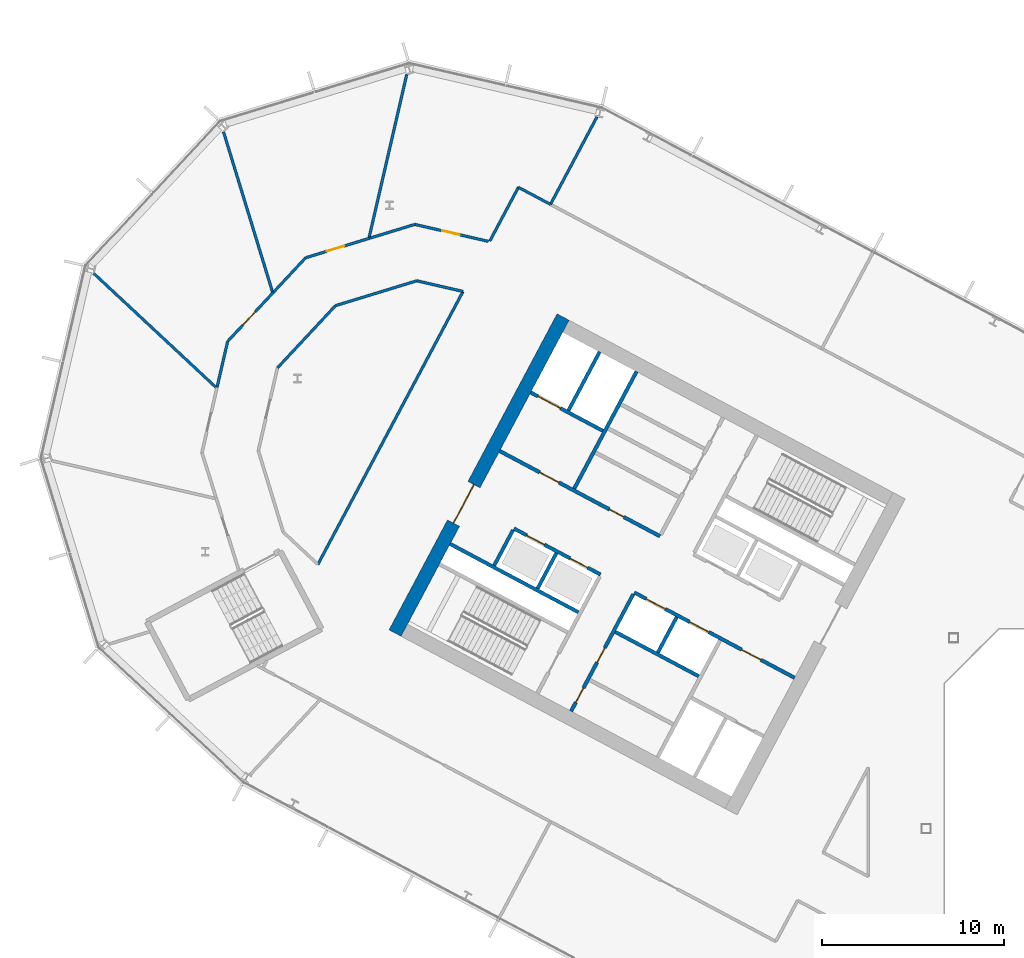
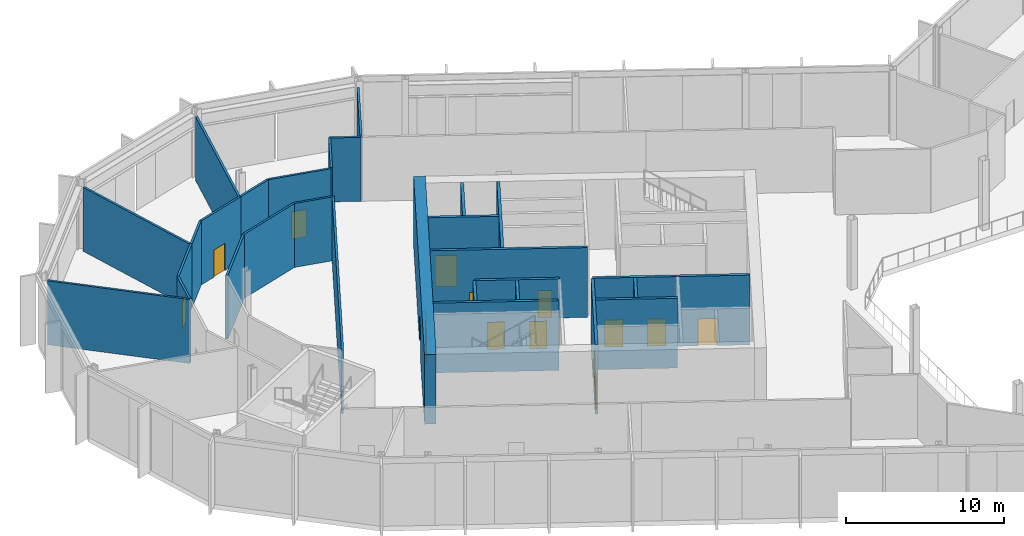
# One storey, part 14 of 31: 29 walls, 14 doors, 14 openings.
"""IFC4 building model written with IfcOpenShell, lengths in metres."""

from ifc_helpers import new_model, si_unit, direction, frame, frame_2d, origin, place, context, subcontext, project, spatial, rectangle, extrude, material, layer, layer_set, type_object, element, fill, save


model = new_model("IFC4")

# Units and contexts
model_context = context("Model", 3, precision=1e-05, world=origin(), true_north=direction((0.0, 1.0)))
body_context = subcontext(model_context, "Body", "Model", "MODEL_VIEW")
ifc_project = project(units=[si_unit("LENGTHUNIT", "METRE"), si_unit("AREAUNIT", "SQUARE_METRE"), si_unit("VOLUMEUNIT", "CUBIC_METRE"), si_unit("PLANEANGLEUNIT", "RADIAN"), si_unit("MASSUNIT", "GRAM", prefix="KILO")], contexts=[model_context])

# Site, building, storey
site_placement = place(None, origin())
site = spatial("IfcSite", under=ifc_project, at=site_placement, CompositionType="ELEMENT")
building_placement = place(site_placement, origin())
building = spatial("IfcBuilding", under=site, at=building_placement, Name="Cormorant Relay Tower", CompositionType="ELEMENT")
storey_placement = place(building_placement, frame((0.0, 0.0, 178.199951171875)))
storey = spatial("IfcBuildingStorey", under=building, at=storey_placement, Name="L38", CompositionType="ELEMENT", Elevation=178.199951171875)

# Walls
ifc_material_1 = material(Name="Concrete 40 MPa", Category="concrete")
ifc_layer_1 = layer(ifc_material_1, 0.199951171875)
ifc_layer_set_1 = layer_set([ifc_layer_1], Name="Core internal wall 200")
wall_type_1 = type_object("IfcWallType", Name="Core internal wall 200", PredefinedType="SOLIDWALL", material=ifc_layer_set_1)
for number, where, z_axis, x_axis, name in (
    (1, (-25.744140625, 11.64990234375, 0.0), (0.0, 0.0, 1.0), (-0.469487830541, -0.882938942948, 0.0), "L38 core A shaft and room wall"),
    (2, (-32.3662109375, 15.1708984375, 0.0), (0.0, 0.0, 1.0), (-0.469487830541, -0.882938942948, 0.0), "L38 core A shaft and room wall"),
):
    element("IfcWall", number, at=place(storey_placement, frame(where, z_axis=z_axis, x_axis=x_axis)), inside=storey, type_object=wall_type_1, Name=name, PredefinedType="SOLIDWALL", context=body_context, shape_type="SweptSolid", body=[
        extrude(rectangle(XDim=2.2001953125, YDim=0.199951171875, at=frame_2d((1.10009765625, 0.0))), origin(), (0.0, 0.0, 1.0), 5.400146484375),
    ])

# Wall, openings, doors
ifc_material_2 = material(Name="Concrete 50 MPa", Category="concrete")
ifc_layer_2 = layer(ifc_material_2, 0.199951171875)
ifc_layer_set_2 = layer_set([ifc_layer_2], Name="Core shaft wall 200")
wall_type_2 = type_object("IfcWallType", Name="Core shaft wall 200", PredefinedType="SHEAR", material=ifc_layer_set_2)
wall_1_placement = place(storey_placement, frame((-28.128173828125, 12.91748046875, 0.0), z_axis=(0.0, 0.0, 1.0), x_axis=(-0.469454336211, -0.882956752176, 0.0)))
wall_1 = element("IfcWall", 3, at=wall_1_placement, inside=storey, type_object=wall_type_2, Name="L38 core A shaft wall", PredefinedType="SHEAR", context=body_context, shape_type="SweptSolid", body=[
    extrude(rectangle(XDim=7.300048828125, YDim=0.199951171875, at=frame_2d((3.64990234375, 0.0))), origin(), (0.0, 0.0, 1.0), 5.400146484375),
])
opening_1_placement = place(wall_1_placement, frame((3.35009765625, 0.0, 0.0)))
opening_1 = element("IfcOpeningElement", 4, at=opening_1_placement, cuts=wall_1, Name="Opening CDD-069", PredefinedType="OPENING", context=body_context, shape_type="SweptSolid", body=[
    extrude(rectangle(XDim=0.89990234375, YDim=2.10009765625, at=frame_2d((0.449951171875, 1.050048828125))), frame((0.0, 0.10986328125, 0.0), z_axis=(0.0, -1.0, 0.0), x_axis=(1.0, 0.0, 0.0)), (0.0, 0.0, 1.0), 0.219970703125),
])
opening_2_placement = place(wall_1_placement, frame((5.85009765625, 0.0, 0.0)))
opening_2 = element("IfcOpeningElement", 5, at=opening_2_placement, cuts=wall_1, Name="Opening CDD-070", PredefinedType="OPENING", context=body_context, shape_type="SweptSolid", body=[
    extrude(rectangle(XDim=0.89990234375, YDim=2.10009765625, at=frame_2d((0.449951171875, 1.050048828125))), frame((0.0, 0.10986328125, 0.0), z_axis=(0.0, -1.0, 0.0), x_axis=(1.0, 0.0, 0.0)), (0.0, 0.0, 1.0), 0.219970703125),
])
ifc_material_3 = material(Name="Steel fire door", Category="steel")
door_type_1 = type_object("IfcDoorType", Name="Core room door 900x2100", OperationType="SINGLE_SWING_LEFT", PredefinedType="DOOR", material=ifc_material_3)
door_1_placement = place(opening_1_placement, origin())
door_1 = element("IfcDoor", 6, at=door_1_placement, inside=storey, type_object=door_type_1, Name="Core room door 900x2100", OperationType="SINGLE_SWING_LEFT", OverallHeight=2.10009765625, OverallWidth=0.89990234375, PredefinedType="DOOR", context=body_context, shape_type="SweptSolid", body=[
    extrude(rectangle(XDim=0.89990234375, YDim=2.10009765625, at=frame_2d((0.449951171875, 1.050048828125))), frame((0.0, 0.02490234375, 0.0), z_axis=(0.0, -1.0, 0.0), x_axis=(1.0, 0.0, 0.0)), (0.0, 0.0, 1.0), 0.050048828125),
])
fill(opening_1, door_1)
door_2_placement = place(opening_2_placement, origin())
door_2 = element("IfcDoor", 7, at=door_2_placement, inside=storey, type_object=door_type_1, Name="Core room door 900x2100", OperationType="SINGLE_SWING_LEFT", OverallHeight=2.10009765625, OverallWidth=0.89990234375, PredefinedType="DOOR", context=body_context, shape_type="SweptSolid", body=[
    extrude(rectangle(XDim=0.89990234375, YDim=2.10009765625, at=frame_2d((0.449951171875, 1.050048828125))), frame((0.0, 0.02490234375, 0.0), z_axis=(0.0, -1.0, 0.0), x_axis=(1.0, 0.0, 0.0)), (0.0, 0.0, 1.0), 0.050048828125),
])
fill(opening_2, door_2)

# Walls
wall_2_placement = place(storey_placement, frame((-27.955322265625, 25.170654296875, 0.0), z_axis=(0.0, 0.0, 1.0), x_axis=(-0.469480409012, -0.88294288918, 0.0)))
element("IfcWall", 8, at=wall_2_placement, inside=storey, type_object=wall_type_2, Name="L38 core A shaft wall", PredefinedType="SHEAR", context=body_context, shape_type="SweptSolid", body=[
    extrude(rectangle(XDim=7.300048828125, YDim=0.199951171875, at=frame_2d((3.64990234375, 0.0))), origin(), (0.0, 0.0, 1.0), 5.400146484375),
])
wall_3_placement = place(storey_placement, frame((-34.750244140625, 16.4384765625, 0.0), z_axis=(0.0, 0.0, 1.0), x_axis=(-0.469401318492, -0.882984938828, 0.0)))
element("IfcWall", 9, at=wall_3_placement, inside=storey, type_object=wall_type_2, Name="L38 core A shaft wall", PredefinedType="SHEAR", context=body_context, shape_type="SweptSolid", body=[
    extrude(rectangle(XDim=2.199951171875, YDim=0.199951171875, at=frame_2d((1.10009765625, 0.0))), origin(), (0.0, 0.0, 1.0), 5.400146484375),
])
wall_4_placement = place(storey_placement, frame((-29.986083984375, 26.250244140625, 0.0), z_axis=(0.0, 0.0, 1.0), x_axis=(-0.469494272526, -0.882935517501, 0.0)))
element("IfcWall", 10, at=wall_4_placement, inside=storey, type_object=wall_type_2, Name="L38 core A shaft wall", PredefinedType="SHEAR", context=body_context, shape_type="SweptSolid", body=[
    extrude(rectangle(XDim=3.64990234375, YDim=0.199951171875, at=frame_2d((1.824951171875, 0.0))), origin(), (0.0, 0.0, 1.0), 5.400146484375),
])

# Wall, opening, door
wall_5_placement = place(storey_placement, frame((-29.80419921875, 21.906494140625, 0.0), z_axis=(0.0, 0.0, 1.0), x_axis=(-0.882960433586, 0.469447412093, 0.0)))
wall_5 = element("IfcWall", 11, at=wall_5_placement, inside=storey, type_object=wall_type_2, Name="L38 core A shaft wall", PredefinedType="SHEAR", context=body_context, shape_type="SweptSolid", body=[
    extrude(rectangle(XDim=4.5, YDim=0.199951171875, at=frame_2d((2.25, 0.0))), origin(), (0.0, 0.0, 1.0), 5.400146484375),
])
opening_3_placement = place(wall_5_placement, frame((2.64990234375, 0.0, 0.0)))
opening_3 = element("IfcOpeningElement", 12, at=opening_3_placement, cuts=wall_5, Name="Opening LD3-007", PredefinedType="OPENING", context=body_context, shape_type="SweptSolid", body=[
    extrude(rectangle(XDim=1.39990234375, YDim=2.39990234375, at=frame_2d((0.699951171875, 1.199951171875))), frame((0.0, 0.10986328125, 0.0), z_axis=(0.0, -1.0, 0.0), x_axis=(1.0, 0.0, 0.0)), (0.0, 0.0, 1.0), 0.219970703125),
])
ifc_material_4 = material(Name="Stainless steel 316", Category="steel")
door_type_2 = type_object("IfcDoorType", Name="Lift landing door 1400x2400", OperationType="DOUBLE_DOOR_SLIDING", PredefinedType="DOOR", material=ifc_material_4)
door_3_placement = place(opening_3_placement, origin())
door_3 = element("IfcDoor", 13, at=door_3_placement, inside=storey, type_object=door_type_2, Name="SV1 landing door", OperationType="DOUBLE_DOOR_SLIDING", OverallHeight=2.39990234375, OverallWidth=1.39990234375, PredefinedType="DOOR", context=body_context, shape_type="SweptSolid", body=[
    extrude(rectangle(XDim=1.39990234375, YDim=2.39990234375, at=frame_2d((0.699951171875, 1.199951171875))), frame((0.0, 0.02490234375, 0.0), z_axis=(0.0, -1.0, 0.0), x_axis=(1.0, 0.0, 0.0)), (0.0, 0.0, 1.0), 0.050048828125),
])
fill(opening_3, door_3)

# Wall, openings, doors
wall_6_placement = place(storey_placement, frame((-26.66162109375, 16.1015625, 0.0), z_axis=(0.0, 0.0, 1.0), x_axis=(-0.882940221191, 0.469485426614, 0.0)))
wall_6 = element("IfcWall", 14, at=wall_6_placement, inside=storey, type_object=wall_type_2, Name="L38 core A shaft wall", PredefinedType="SHEAR", context=body_context, shape_type="SweptSolid", body=[
    extrude(rectangle(XDim=10.0, YDim=0.199951171875, at=frame_2d((5.0, 0.0))), origin(), (0.0, 0.0, 1.0), 5.400146484375),
])
opening_4_placement = place(wall_6_placement, frame((6.300048828125, 0.0, 0.0)))
opening_4 = element("IfcOpeningElement", 15, at=opening_4_placement, cuts=wall_6, Name="Opening CDC-014", PredefinedType="OPENING", context=body_context, shape_type="SweptSolid", body=[
    extrude(rectangle(XDim=1.199951171875, YDim=2.10009765625, at=frame_2d((0.60009765625, 1.050048828125))), frame((0.0, 0.10986328125, 0.0), z_axis=(0.0, -1.0, 0.0), x_axis=(1.0, 0.0, 0.0)), (0.0, 0.0, 1.0), 0.219970703125),
])
opening_5_placement = place(wall_6_placement, frame((2.25, 0.0, 0.0)))
opening_5 = element("IfcOpeningElement", 16, at=opening_5_placement, cuts=wall_6, Name="Opening CDD-098", PredefinedType="OPENING", context=body_context, shape_type="SweptSolid", body=[
    extrude(rectangle(XDim=0.89990234375, YDim=2.10009765625, at=frame_2d((0.449951171875, 1.050048828125))), frame((0.0, 0.10986328125, 0.0), z_axis=(0.0, -1.0, 0.0), x_axis=(1.0, 0.0, 0.0)), (0.0, 0.0, 1.0), 0.219970703125),
])
ifc_material_5 = material(Name="Steel fire door", Category="steel")
door_type_3 = type_object("IfcDoorType", Name="Core lobby door 1200x2100", OperationType="SINGLE_SWING_LEFT", PredefinedType="DOOR", material=ifc_material_5)
door_4_placement = place(opening_4_placement, origin())
door_4 = element("IfcDoor", 17, at=door_4_placement, inside=storey, type_object=door_type_3, Name="Core lobby door 1200x2100", OperationType="SINGLE_SWING_LEFT", OverallHeight=2.10009765625, OverallWidth=1.199951171875, PredefinedType="DOOR", context=body_context, shape_type="SweptSolid", body=[
    extrude(rectangle(XDim=1.199951171875, YDim=2.10009765625, at=frame_2d((0.60009765625, 1.050048828125))), frame((0.0, 0.02490234375, 0.0), z_axis=(0.0, -1.0, 0.0), x_axis=(1.0, 0.0, 0.0)), (0.0, 0.0, 1.0), 0.050048828125),
])
fill(opening_4, door_4)
door_5_placement = place(opening_5_placement, frame((0.89990234375, 0.0, 0.0), z_axis=(0.0, 0.0, 1.0), x_axis=(-1.0, 0.0, 0.0)))
door_5 = element("IfcDoor", 18, at=door_5_placement, inside=storey, type_object=door_type_1, Name="Core room door 900x2100", OperationType="SINGLE_SWING_RIGHT", OverallHeight=2.10009765625, OverallWidth=0.89990234375, PredefinedType="DOOR", context=body_context, shape_type="SweptSolid", body=[
    extrude(rectangle(XDim=0.89990234375, YDim=2.10009765625, at=frame_2d((0.449951171875, 1.050048828125))), frame((0.0, 0.02490234375, 0.0), z_axis=(0.0, -1.0, 0.0), x_axis=(1.0, 0.0, 0.0)), (0.0, 0.0, 1.0), 0.050048828125),
])
fill(opening_5, door_5)

wall_7_placement = place(storey_placement, frame((-19.251708984375, 8.31103515625, 0.0), z_axis=(0.0, 0.0, 1.0), x_axis=(-0.882955722218, 0.469456273365, 0.0)))
wall_7 = element("IfcWall", 19, at=wall_7_placement, inside=storey, type_object=wall_type_2, Name="L38 core A shaft wall", PredefinedType="SHEAR", context=body_context, shape_type="SweptSolid", body=[
    extrude(rectangle(XDim=10.0, YDim=0.199951171875, at=frame_2d((5.0, 0.0))), origin(), (0.0, 0.0, 1.0), 5.400146484375),
])
opening_6_placement = place(wall_7_placement, frame((2.10009765625, 0.0, 0.0)))
opening_6 = element("IfcOpeningElement", 20, at=opening_6_placement, cuts=wall_7, Name="Opening CDC-013", PredefinedType="OPENING", context=body_context, shape_type="SweptSolid", body=[
    extrude(rectangle(XDim=1.199951171875, YDim=2.10009765625, at=frame_2d((0.60009765625, 1.050048828125))), frame((0.0, 0.10986328125, 0.0), z_axis=(0.0, -1.0, 0.0), x_axis=(1.0, 0.0, 0.0)), (0.0, 0.0, 1.0), 0.219970703125),
])
opening_7_placement = place(wall_7_placement, frame((5.35009765625, 0.0, 0.0)))
opening_7 = element("IfcOpeningElement", 21, at=opening_7_placement, cuts=wall_7, Name="Opening LD2-003", PredefinedType="OPENING", context=body_context, shape_type="SweptSolid", body=[
    extrude(rectangle(XDim=1.199951171875, YDim=2.10009765625, at=frame_2d((0.60009765625, 1.050048828125))), frame((0.0, 0.10986328125, 0.0), z_axis=(0.0, -1.0, 0.0), x_axis=(1.0, 0.0, 0.0)), (0.0, 0.0, 1.0), 0.219970703125),
])
opening_8_placement = place(wall_7_placement, frame((8.050048828125, 0.0, 0.0)))
opening_8 = element("IfcOpeningElement", 22, at=opening_8_placement, cuts=wall_7, Name="Opening LD2-004", PredefinedType="OPENING", context=body_context, shape_type="SweptSolid", body=[
    extrude(rectangle(XDim=1.199951171875, YDim=2.10009765625, at=frame_2d((0.60009765625, 1.050048828125))), frame((0.0, 0.10986328125, 0.0), z_axis=(0.0, -1.0, 0.0), x_axis=(1.0, 0.0, 0.0)), (0.0, 0.0, 1.0), 0.219970703125),
])
door_6_placement = place(opening_6_placement, origin())
door_6 = element("IfcDoor", 23, at=door_6_placement, inside=storey, type_object=door_type_3, Name="Core lobby door 1200x2100", OperationType="SINGLE_SWING_RIGHT", OverallHeight=2.10009765625, OverallWidth=1.199951171875, PredefinedType="DOOR", context=body_context, shape_type="SweptSolid", body=[
    extrude(rectangle(XDim=1.199951171875, YDim=2.10009765625, at=frame_2d((0.60009765625, 1.050048828125))), frame((0.0, 0.02490234375, 0.0), z_axis=(0.0, -1.0, 0.0), x_axis=(1.0, 0.0, 0.0)), (0.0, 0.0, 1.0), 0.050048828125),
])
fill(opening_6, door_6)
ifc_material_6 = material(Name="Stainless steel 316", Category="steel")
door_type_4 = type_object("IfcDoorType", Name="Lift landing door 1200x2100", OperationType="DOUBLE_DOOR_SLIDING", PredefinedType="DOOR", material=ifc_material_6)
door_7_placement = place(opening_7_placement, origin())
door_7 = element("IfcDoor", 24, at=door_7_placement, inside=storey, type_object=door_type_4, Name="SH1 landing door", OperationType="DOUBLE_DOOR_SLIDING", OverallHeight=2.10009765625, OverallWidth=1.199951171875, PredefinedType="DOOR", context=body_context, shape_type="SweptSolid", body=[
    extrude(rectangle(XDim=1.199951171875, YDim=2.10009765625, at=frame_2d((0.60009765625, 1.050048828125))), frame((0.0, 0.02490234375, 0.0), z_axis=(0.0, -1.0, 0.0), x_axis=(1.0, 0.0, 0.0)), (0.0, 0.0, 1.0), 0.050048828125),
])
fill(opening_7, door_7)
door_8_placement = place(opening_8_placement, origin())
door_8 = element("IfcDoor", 25, at=door_8_placement, inside=storey, type_object=door_type_4, Name="SH2 landing door", OperationType="DOUBLE_DOOR_SLIDING", OverallHeight=2.10009765625, OverallWidth=1.199951171875, PredefinedType="DOOR", context=body_context, shape_type="SweptSolid", body=[
    extrude(rectangle(XDim=1.199951171875, YDim=2.10009765625, at=frame_2d((0.60009765625, 1.050048828125))), frame((0.0, 0.02490234375, 0.0), z_axis=(0.0, -1.0, 0.0), x_axis=(1.0, 0.0, 0.0)), (0.0, 0.0, 1.0), 0.050048828125),
])
fill(opening_8, door_8)

wall_8_placement = place(storey_placement, frame((-29.935302734375, 13.991455078125, 0.0), z_axis=(0.0, 0.0, 1.0), x_axis=(-0.882952937579, 0.469461510692, 0.0)))
wall_8 = element("IfcWall", 26, at=wall_8_placement, inside=storey, type_object=wall_type_2, Name="L38 core A shaft wall", PredefinedType="SHEAR", context=body_context, shape_type="SweptSolid", body=[
    extrude(rectangle(XDim=5.400146484375, YDim=0.199951171875, at=frame_2d((2.7001953125, 0.0))), origin(), (0.0, 0.0, 1.0), 5.400146484375),
])
opening_9_placement = place(wall_8_placement, frame((0.800048828125, 0.0, 0.0)))
opening_9 = element("IfcOpeningElement", 27, at=opening_9_placement, cuts=wall_8, Name="Opening LD1-051", PredefinedType="OPENING", context=body_context, shape_type="SweptSolid", body=[
    extrude(rectangle(XDim=1.10009765625, YDim=2.10009765625, at=frame_2d((0.550048828125, 1.050048828125))), frame((0.0, 0.10986328125, 0.0), z_axis=(0.0, -1.0, 0.0), x_axis=(1.0, 0.0, 0.0)), (0.0, 0.0, 1.0), 0.219970703125),
])
opening_10_placement = place(wall_8_placement, frame((3.5, 0.0, 0.0)))
opening_10 = element("IfcOpeningElement", 28, at=opening_10_placement, cuts=wall_8, Name="Opening LD1-052", PredefinedType="OPENING", context=body_context, shape_type="SweptSolid", body=[
    extrude(rectangle(XDim=1.10009765625, YDim=2.10009765625, at=frame_2d((0.550048828125, 1.050048828125))), frame((0.0, 0.10986328125, 0.0), z_axis=(0.0, -1.0, 0.0), x_axis=(1.0, 0.0, 0.0)), (0.0, 0.0, 1.0), 0.219970703125),
])
ifc_material_7 = material(Name="Stainless steel 316", Category="steel")
door_type_5 = type_object("IfcDoorType", Name="Lift landing door 1100x2100", OperationType="DOUBLE_DOOR_SLIDING", PredefinedType="DOOR", material=ifc_material_7)
door_9_placement = place(opening_9_placement, origin())
door_9 = element("IfcDoor", 29, at=door_9_placement, inside=storey, type_object=door_type_5, Name="MR1 landing door", OperationType="DOUBLE_DOOR_SLIDING", OverallHeight=2.10009765625, OverallWidth=1.10009765625, PredefinedType="DOOR", context=body_context, shape_type="SweptSolid", body=[
    extrude(rectangle(XDim=1.10009765625, YDim=2.10009765625, at=frame_2d((0.550048828125, 1.050048828125))), frame((0.0, 0.02490234375, 0.0), z_axis=(0.0, -1.0, 0.0), x_axis=(1.0, 0.0, 0.0)), (0.0, 0.0, 1.0), 0.050048828125),
])
fill(opening_9, door_9)
door_10_placement = place(opening_10_placement, origin())
door_10 = element("IfcDoor", 30, at=door_10_placement, inside=storey, type_object=door_type_5, Name="MR2 landing door", OperationType="DOUBLE_DOOR_SLIDING", OverallHeight=2.10009765625, OverallWidth=1.10009765625, PredefinedType="DOOR", context=body_context, shape_type="SweptSolid", body=[
    extrude(rectangle(XDim=1.10009765625, YDim=2.10009765625, at=frame_2d((0.550048828125, 1.050048828125))), frame((0.0, 0.02490234375, 0.0), z_axis=(0.0, -1.0, 0.0), x_axis=(1.0, 0.0, 0.0)), (0.0, 0.0, 1.0), 0.050048828125),
])
fill(opening_10, door_10)

# Walls
wall_9_placement = place(storey_placement, frame((-24.5283203125, 8.3984375, 0.0), z_axis=(0.0, 0.0, 1.0), x_axis=(-0.882953967957, 0.469459572775, 0.0)))
element("IfcWall", 31, at=wall_9_placement, inside=storey, type_object=wall_type_2, Name="L38 core A shaft wall", PredefinedType="SHEAR", context=body_context, shape_type="SweptSolid", body=[
    extrude(rectangle(XDim=5.199951171875, YDim=0.199951171875, at=frame_2d((2.60009765625, 0.0))), origin(), (0.0, 0.0, 1.0), 5.400146484375),
])
wall_10_placement = place(storey_placement, frame((-31.150390625, 11.91943359375, 0.0), z_axis=(0.0, 0.0, 1.0), x_axis=(-0.882940221191, 0.469485426614, 0.0)))
element("IfcWall", 32, at=wall_10_placement, inside=storey, type_object=wall_type_2, Name="L38 core A shaft wall", PredefinedType="SHEAR", context=body_context, shape_type="SweptSolid", body=[
    extrude(rectangle(XDim=8.0, YDim=0.199951171875, at=frame_2d((4.0, 0.0))), origin(), (0.0, 0.0, 1.0), 5.400146484375),
])

# Wall, opening, door
ifc_material_8 = material(Name="Concrete 60 MPa", Category="concrete")
ifc_layer_3 = layer(ifc_material_8, 0.75)
ifc_layer_set_3 = layer_set([ifc_layer_3], Name="Core wall 750")
wall_type_3 = type_object("IfcWallType", Name="Core wall 750", PredefinedType="SHEAR", material=ifc_layer_set_3)
wall_11_placement = place(storey_placement, frame((-31.995849609375, 28.16845703125, 0.0), z_axis=(0.0, 0.0, 1.0), x_axis=(-0.469479580143, -0.882943329908, 0.0)))
wall_11 = element("IfcWall", 33, at=wall_11_placement, inside=storey, type_object=wall_type_3, Name="L38 core A wall", PredefinedType="SHEAR", context=body_context, shape_type="SweptSolid", body=[
    extrude(rectangle(XDim=19.699951171875, YDim=0.75, at=frame_2d((9.85009765625, 0.0))), origin(), (0.0, 0.0, 1.0), 5.400146484375),
])
opening_11_placement = place(wall_11_placement, frame((10.449951171875, 0.0, 0.0)))
opening_11 = element("IfcOpeningElement", 34, at=opening_11_placement, cuts=wall_11, Name="Opening CDA-033", PredefinedType="OPENING", context=body_context, shape_type="SweptSolid", body=[
    extrude(rectangle(XDim=2.39990234375, YDim=2.39990234375, at=frame_2d((1.199951171875, 1.199951171875))), frame((0.0, 0.385009765625, 0.0), z_axis=(0.0, -1.0, 0.0), x_axis=(1.0, 0.0, 0.0)), (0.0, 0.0, 1.0), 0.77001953125),
])
ifc_material_9 = material(Name="Steel fire door", Category="steel")
door_type_6 = type_object("IfcDoorType", Name="Core lobby door 2400x2400", OperationType="DOUBLE_DOOR_SINGLE_SWING", PredefinedType="DOOR", material=ifc_material_9)
door_11_placement = place(opening_11_placement, origin())
door_11 = element("IfcDoor", 35, at=door_11_placement, inside=storey, type_object=door_type_6, Name="Core lobby door 2400x2400", OperationType="DOUBLE_DOOR_SINGLE_SWING", OverallHeight=2.39990234375, OverallWidth=2.39990234375, PredefinedType="DOOR", context=body_context, shape_type="SweptSolid", body=[
    extrude(rectangle(XDim=2.39990234375, YDim=2.39990234375, at=frame_2d((1.199951171875, 1.199951171875))), frame((0.0, 0.02490234375, 0.0), z_axis=(0.0, -1.0, 0.0), x_axis=(1.0, 0.0, 0.0)), (0.0, 0.0, 1.0), 0.050048828125),
])
fill(opening_11, door_11)

ifc_material_10 = material(Name="Gypsum board fire partition")
ifc_layer_4 = layer(ifc_material_10, 0.14990234375)
ifc_layer_set_4 = layer_set([ifc_layer_4], Name="Corridor partition 150 EI 60")
wall_type_4 = type_object("IfcWallType", Name="Corridor partition 150 EI 60", PredefinedType="PARTITIONING", material=ifc_layer_set_4)
wall_12_placement = place(storey_placement, frame((-47.94091796875, 29.530029296875, 0.0), z_axis=(0.0, 0.0, 1.0), x_axis=(-0.682044894272, -0.731310304999, 0.0)))
wall_12 = element("IfcWall", 36, at=wall_12_placement, inside=storey, type_object=wall_type_4, Name="wall/L38/part/007", PredefinedType="PARTITIONING", context=body_context, shape_type="SweptSolid", body=[
    extrude(rectangle(XDim=3.69189453125, YDim=0.14990234375, at=frame_2d((1.845947265625, 0.0))), origin(), (0.0, 0.0, 1.0), 4.949951171875),
])
opening_12_placement = place(wall_12_placement, frame((1.47509765625, 0.0, 0.0)))
opening_12 = element("IfcOpeningElement", 37, at=opening_12_placement, cuts=wall_12, Name="Opening DS-100", PredefinedType="OPENING", context=body_context, shape_type="SweptSolid", body=[
    extrude(rectangle(XDim=1.0, YDim=2.10009765625, at=frame_2d((0.5, 1.050048828125))), frame((0.0, 0.0849609375, 0.0), z_axis=(0.0, -1.0, 0.0), x_axis=(1.0, 0.0, 0.0)), (0.0, 0.0, 1.0), 0.169921875),
])
ifc_material_11 = material(Name="Timber door leaf", Category="wood")
door_type_7 = type_object("IfcDoorType", Name="Suite door 1000x2100", OperationType="SINGLE_SWING_LEFT", PredefinedType="DOOR", material=ifc_material_11)
door_12_placement = place(opening_12_placement, frame((1.0, 0.0, 0.0), z_axis=(0.0, 0.0, 1.0), x_axis=(-1.0, 0.0, 0.0)))
door_12 = element("IfcDoor", 38, at=door_12_placement, inside=storey, type_object=door_type_7, Name="door/L38/013", OperationType="SINGLE_SWING_RIGHT", OverallHeight=2.10009765625, OverallWidth=1.0, PredefinedType="DOOR", context=body_context, shape_type="SweptSolid", body=[
    extrude(rectangle(XDim=1.0, YDim=2.10009765625, at=frame_2d((0.5, 1.050048828125))), frame((0.0, 0.02490234375, 0.0), z_axis=(0.0, -1.0, 0.0), x_axis=(1.0, 0.0, 0.0)), (0.0, 0.0, 1.0), 0.050048828125),
])
fill(opening_12, door_12)

# Wall
wall_13_placement = place(storey_placement, frame((-50.458984375, 26.830078125, 0.0), z_axis=(0.0, 0.0, 1.0), x_axis=(-0.225121568864, -0.974330682691, 0.0)))
element("IfcWall", 39, at=wall_13_placement, inside=storey, type_object=wall_type_4, Name="wall/L38/part/008", PredefinedType="PARTITIONING", context=body_context, shape_type="SweptSolid", body=[
    extrude(rectangle(XDim=2.58544921875, YDim=0.14990234375, at=frame_2d((1.292724609375, 0.0))), origin(), (0.0, 0.0, 1.0), 4.949951171875),
])

# Wall, opening, door
wall_14_placement = place(storey_placement, frame((-42.638916015625, 32.509033203125, 0.0), z_axis=(0.0, 0.0, 1.0), x_axis=(-0.956263759499, -0.292505764504, 0.0)))
wall_14 = element("IfcWall", 40, at=wall_14_placement, inside=storey, type_object=wall_type_4, Name="wall/L38/part/014", PredefinedType="PARTITIONING", context=body_context, shape_type="SweptSolid", body=[
    extrude(rectangle(XDim=3.6923828125, YDim=0.14990234375, at=frame_2d((1.84619140625, 0.0))), origin(), (0.0, 0.0, 1.0), 4.949951171875),
])
opening_13_placement = place(wall_14_placement, frame((1.47509765625, 0.0, 0.0)))
opening_13 = element("IfcOpeningElement", 41, at=opening_13_placement, cuts=wall_14, Name="Opening DS-099", PredefinedType="OPENING", context=body_context, shape_type="SweptSolid", body=[
    extrude(rectangle(XDim=1.0, YDim=2.10009765625, at=frame_2d((0.5, 1.050048828125))), frame((0.0, 0.0849609375, 0.0), z_axis=(0.0, -1.0, 0.0), x_axis=(1.0, 0.0, 0.0)), (0.0, 0.0, 1.0), 0.169921875),
])
door_13_placement = place(opening_13_placement, frame((1.0, 0.0, 0.0), z_axis=(0.0, 0.0, 1.0), x_axis=(-1.0, 0.0, 0.0)))
door_13 = element("IfcDoor", 42, at=door_13_placement, inside=storey, type_object=door_type_7, Name="door/L38/012", OperationType="SINGLE_SWING_RIGHT", OverallHeight=2.10009765625, OverallWidth=1.0, PredefinedType="DOOR", context=body_context, shape_type="SweptSolid", body=[
    extrude(rectangle(XDim=1.0, YDim=2.10009765625, at=frame_2d((0.5, 1.050048828125))), frame((0.0, 0.02490234375, 0.0), z_axis=(0.0, -1.0, 0.0), x_axis=(1.0, 0.0, 0.0)), (0.0, 0.0, 1.0), 0.050048828125),
])
fill(opening_13, door_13)

# Wall
wall_15_placement = place(storey_placement, frame((-46.169921875, 31.428955078125, 0.0), z_axis=(0.0, 0.0, 1.0), x_axis=(-0.68198172509, -0.731369213628, 0.0)))
element("IfcWall", 43, at=wall_15_placement, inside=storey, type_object=wall_type_4, Name="wall/L38/part/015", PredefinedType="PARTITIONING", context=body_context, shape_type="SweptSolid", body=[
    extrude(rectangle(XDim=2.58544921875, YDim=0.14990234375, at=frame_2d((1.292724609375, 0.0))), origin(), (0.0, 0.0, 1.0), 4.949951171875),
])

# Wall, opening, door
wall_16_placement = place(storey_placement, frame((-36.10888671875, 32.333251953125, 0.0), z_axis=(0.0, 0.0, 1.0), x_axis=(-0.974409020702, 0.224782251021, 0.0)))
wall_16 = element("IfcWall", 44, at=wall_16_placement, inside=storey, type_object=wall_type_4, Name="wall/L38/part/018", PredefinedType="PARTITIONING", context=body_context, shape_type="SweptSolid", body=[
    extrude(rectangle(XDim=4.154296875, YDim=0.14990234375, at=frame_2d((2.0771484375, 0.0))), origin(), (0.0, 0.0, 1.0), 4.949951171875),
])
opening_14_placement = place(wall_16_placement, frame((1.609130859375, 0.0, 0.0)))
opening_14 = element("IfcOpeningElement", 45, at=opening_14_placement, cuts=wall_16, Name="Opening DS-098", PredefinedType="OPENING", context=body_context, shape_type="SweptSolid", body=[
    extrude(rectangle(XDim=1.0, YDim=2.10009765625, at=frame_2d((0.5, 1.050048828125))), frame((0.0, 0.0849609375, 0.0), z_axis=(0.0, -1.0, 0.0), x_axis=(1.0, 0.0, 0.0)), (0.0, 0.0, 1.0), 0.169921875),
])
door_14_placement = place(opening_14_placement, frame((1.0, 0.0, 0.0), z_axis=(0.0, 0.0, 1.0), x_axis=(-1.0, 0.0, 0.0)))
door_14 = element("IfcDoor", 46, at=door_14_placement, inside=storey, type_object=door_type_7, Name="door/L38/011", OperationType="SINGLE_SWING_RIGHT", OverallHeight=2.10009765625, OverallWidth=1.0, PredefinedType="DOOR", context=body_context, shape_type="SweptSolid", body=[
    extrude(rectangle(XDim=1.0, YDim=2.10009765625, at=frame_2d((0.5, 1.050048828125))), frame((0.0, 0.02490234375, 0.0), z_axis=(0.0, -1.0, 0.0), x_axis=(1.0, 0.0, 0.0)), (0.0, 0.0, 1.0), 0.050048828125),
])
fill(opening_14, door_14)

# Walls
wall_17_placement = place(storey_placement, frame((-40.156982421875, 33.26708984375, 0.0), z_axis=(0.0, 0.0, 1.0), x_axis=(-0.956265748616, -0.292499261577, 0.0)))
element("IfcWall", 47, at=wall_17_placement, inside=storey, type_object=wall_type_4, Name="wall/L38/part/019", PredefinedType="PARTITIONING", context=body_context, shape_type="SweptSolid", body=[
    extrude(rectangle(XDim=2.5849609375, YDim=0.14990234375, at=frame_2d((1.29248046875, 0.0))), origin(), (0.0, 0.0, 1.0), 4.949951171875),
])
wall_18_placement = place(storey_placement, frame((-32.694091796875, 34.3720703125, 0.0), z_axis=(0.0, 0.0, 1.0), x_axis=(-0.883022288262, 0.469331054196, 0.0)))
element("IfcWall", 48, at=wall_18_placement, inside=storey, type_object=wall_type_4, Name="wall/L38/part/020", PredefinedType="PARTITIONING", context=body_context, shape_type="SweptSolid", body=[
    extrude(rectangle(XDim=1.99658203125, YDim=0.14990234375, at=frame_2d((0.998291015625, 0.0))), origin(), (0.0, 0.0, 1.0), 4.949951171875),
])
wall_19_placement = place(storey_placement, frame((-36.031005859375, 32.34912109375, 0.0), z_axis=(0.0, 0.0, 1.0), x_axis=(0.469730105037, 0.882810074944, 0.0)))
element("IfcWall", 49, at=wall_19_placement, inside=storey, type_object=wall_type_4, Name="wall/L38/part/021", PredefinedType="PARTITIONING", context=body_context, shape_type="SweptSolid", body=[
    extrude(rectangle(XDim=3.352783203125, YDim=0.14990234375, at=frame_2d((1.67626953125, 0.0))), origin(), (0.0, 0.0, 1.0), 4.949951171875),
])
wall_20_placement = place(storey_placement, frame((-47.717041015625, 25.37109375, 0.0), z_axis=(0.0, 0.0, 1.0), x_axis=(0.682037643885, 0.731317066889, 0.0)))
element("IfcWall", 50, at=wall_20_placement, inside=storey, type_object=wall_type_4, Name="wall/L38/part/074", PredefinedType="PARTITIONING", context=body_context, shape_type="SweptSolid", body=[
    extrude(rectangle(XDim=4.681640625, YDim=0.14990234375, at=frame_2d((2.3408203125, 0.0))), origin(), (0.0, 0.0, 1.0), 4.949951171875),
])
wall_21_placement = place(storey_placement, frame((-44.52392578125, 28.794921875, 0.0), z_axis=(0.0, 0.0, 1.0), x_axis=(0.956318764789, 0.292325879991, 0.0)))
element("IfcWall", 51, at=wall_21_placement, inside=storey, type_object=wall_type_4, Name="wall/L38/part/075", PredefinedType="PARTITIONING", context=body_context, shape_type="SweptSolid", body=[
    extrude(rectangle(XDim=4.68017578125, YDim=0.14990234375, at=frame_2d((2.340087890625, 0.0))), origin(), (0.0, 0.0, 1.0), 4.949951171875),
])
wall_22_placement = place(storey_placement, frame((-40.048095703125, 30.1630859375, 0.0), z_axis=(0.0, 0.0, 1.0), x_axis=(0.974369120605, -0.224955144001, 0.0)))
element("IfcWall", 52, at=wall_22_placement, inside=storey, type_object=wall_type_4, Name="wall/L38/part/076", PredefinedType="PARTITIONING", context=body_context, shape_type="SweptSolid", body=[
    extrude(rectangle(XDim=2.610107421875, YDim=0.14990234375, at=frame_2d((1.30517578125, 0.0))), origin(), (0.0, 0.0, 1.0), 4.949951171875),
])
wall_23_placement = place(storey_placement, frame((-37.5048828125, 29.575927734375, 0.0), z_axis=(0.0, 0.0, 1.0), x_axis=(-0.469459465696, -0.88295402489, 0.0)))
element("IfcWall", 53, at=wall_23_placement, inside=storey, type_object=wall_type_4, Name="wall/L38/part/077", PredefinedType="PARTITIONING", context=body_context, shape_type="SweptSolid", body=[
    extrude(rectangle(XDim=17.013427734375, YDim=0.14990234375, at=frame_2d((8.5068359375, 0.0))), origin(), (0.0, 0.0, 1.0), 4.949951171875),
])
ifc_material_12 = material(Name="Gypsum board partition")
ifc_layer_5 = layer(ifc_material_12, 0.14990234375)
ifc_layer_set_5 = layer_set([ifc_layer_5], Name="Tenant partition 150")
wall_type_5 = type_object("IfcWallType", Name="Tenant partition 150", PredefinedType="PARTITIONING", material=ifc_layer_set_5)
wall_24_placement = place(storey_placement, frame((-57.841064453125, 30.580078125, 0.0), z_axis=(0.0, 0.0, 1.0), x_axis=(0.731405132674, -0.681943202839, 0.0)))
element("IfcWall", 54, at=wall_24_placement, inside=storey, type_object=wall_type_5, Name="wall/L38/part/002", PredefinedType="PARTITIONING", context=body_context, shape_type="SweptSolid", body=[
    extrude(rectangle(XDim=9.279541015625, YDim=0.14990234375, at=frame_2d((4.6396484375, 0.0))), origin(), (0.0, 0.0, 1.0), 4.949951171875),
])
for number, where, z_axis, x_axis, name in (
    (55, (-50.68798828125, 38.365966796875, 0.0), (0.0, 0.0, 1.0), (0.292510003747, -0.956262462772, 0.0), "wall/L38/part/009"),
    (56, (-40.59912109375, 41.533935546875, 0.0), (0.0, 0.0, 1.0), (-0.224936379831, -0.974373452547, 0.0), "wall/L38/part/017"),
):
    element("IfcWall", number, at=place(storey_placement, frame(where, z_axis=z_axis, x_axis=x_axis)), inside=storey, type_object=wall_type_5, Name=name, PredefinedType="PARTITIONING", context=body_context, shape_type="SweptSolid", body=[
        extrude(rectangle(XDim=9.27783203125, YDim=0.14990234375, at=frame_2d((4.638916015625, 0.0))), origin(), (0.0, 0.0, 1.0), 4.949951171875),
    ])
wall_25_placement = place(storey_placement, frame((-30.12890625, 39.18798828125, 0.0), z_axis=(0.0, 0.0, 1.0), x_axis=(-0.469375494652, -0.882998666488, 0.0)))
element("IfcWall", 57, at=wall_25_placement, inside=storey, type_object=wall_type_5, Name="wall/L38/part/023", PredefinedType="PARTITIONING", context=body_context, shape_type="SweptSolid", body=[
    extrude(rectangle(XDim=5.456298828125, YDim=0.14990234375, at=frame_2d((2.72802734375, 0.0))), origin(), (0.0, 0.0, 1.0), 4.949951171875),
])

save(model, "model.ifc")
